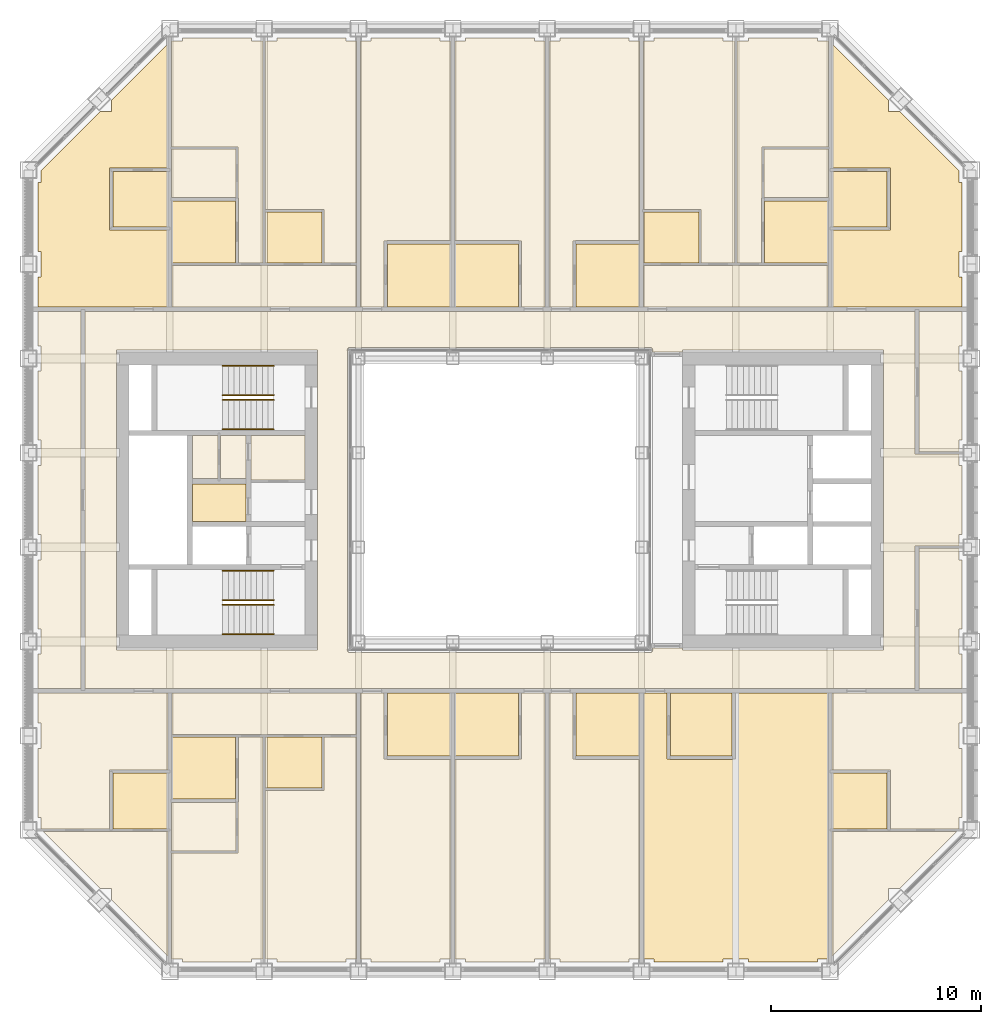
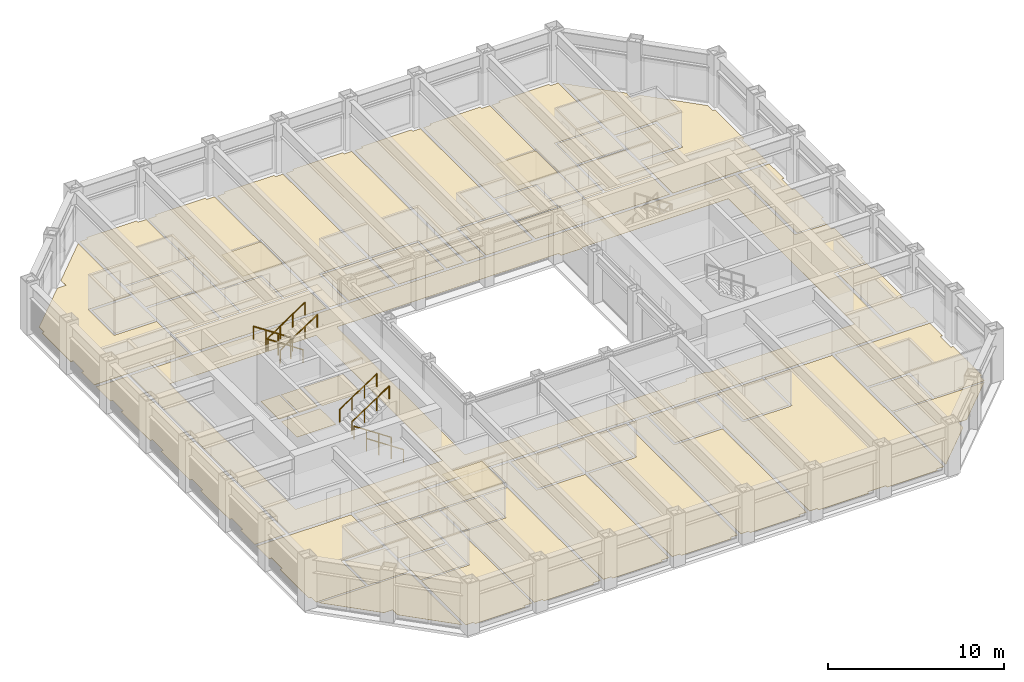
# One storey, part 16 of 18: 8 railings, 5 coverings.
"""IFC4 building model written with IfcOpenShell, lengths in metres."""

from ifc_helpers import new_model, si_unit, direction, frame, origin, origin_2d, place, context, subcontext, project, spatial, line, indexed_curve, circle, outline, extrude, material, layer, layer_set, type_object, element, save


model = new_model("IFC4")

# Units and contexts
model_context = context("Model", 3, precision=1e-05, world=origin(), true_north=direction((0.0, 1.0)))
body_context = subcontext(model_context, "Body", "Model", "MODEL_VIEW")
ifc_project = project(units=[si_unit("LENGTHUNIT", "METRE"), si_unit("AREAUNIT", "SQUARE_METRE"), si_unit("VOLUMEUNIT", "CUBIC_METRE"), si_unit("PLANEANGLEUNIT", "RADIAN"), si_unit("MASSUNIT", "GRAM", prefix="KILO")], contexts=[model_context])

# Site, building, storey
site_placement = place(None, origin())
site = spatial("IfcSite", under=ifc_project, at=site_placement, CompositionType="ELEMENT")
building_placement = place(site_placement, origin())
building = spatial("IfcBuilding", under=site, at=building_placement, Name="Msasa Ring Tower", CompositionType="ELEMENT")
storey_placement = place(building_placement, frame((0.0, 0.0, 183.199951171875)))
storey = spatial("IfcBuildingStorey", under=building, at=storey_placement, Name="L48", CompositionType="ELEMENT", Elevation=183.199951171875)

# Coverings
ifc_material_1 = material(Name="Perforated aluminium ceiling pans on a steel grid", Category="steel")
ifc_layer_1 = layer(ifc_material_1, 0.02490234375)
ifc_layer_set_1 = layer_set([ifc_layer_1], Name="C4 PERFORATED METAL PAN CEILING 25")
covering_type_1 = type_object("IfcCoveringType", Name="C4 PERFORATED METAL PAN CEILING 25", PredefinedType="CEILING", material=ifc_layer_set_1)
covering_1_placement = place(storey_placement, frame((0.0, 0.0, 2.400146484375)))
element("IfcCovering", 1, at=covering_1_placement, inside=storey, type_object=covering_type_1, Name="Perforated Metal Pan Ceiling 25 L48", PredefinedType="CEILING", context=body_context, shape_type="SweptSolid", body=[
    extrude(outline(indexed_curve([(-8.50048828125, -11.300537109375), (-8.50048828125, -13.74951171875), (-11.095703125, -13.74951171875), (-11.095703125, -11.300537109375)], segments=[line(1, 2, 3, 4, 1)], self_intersect=False)), origin(), (0.0, 0.0, 1.0), 0.02490234375),
    extrude(outline(indexed_curve([(-8.50048828125, 11.300537109375), (-11.095703125, 11.300537109375), (-11.095703125, 13.74951171875), (-8.50048828125, 13.74951171875)], segments=[line(1, 2, 3, 4, 1)], self_intersect=False)), origin(), (0.0, 0.0, 1.0), 0.02490234375),
    extrude(outline(indexed_curve([(9.49951171875, 11.300537109375), (6.904296875, 11.300537109375), (6.904296875, 13.74951171875), (9.49951171875, 13.74951171875)], segments=[line(1, 2, 3, 4, 1)], self_intersect=False)), origin(), (0.0, 0.0, 1.0), 0.02490234375),
])
ifc_material_2 = material(Name="Wool-blend carpet on felt underlay", Category="textile")
ifc_layer_2 = layer(ifc_material_2, 0.011962890625)
ifc_layer_set_2 = layer_set([ifc_layer_2], Name="F2 CARPET ON UNDERLAY 12")
covering_type_2 = type_object("IfcCoveringType", Name="F2 CARPET ON UNDERLAY 12", PredefinedType="FLOORING", material=ifc_layer_set_2)
covering_2_placement = place(storey_placement, origin())
element("IfcCovering", 2, at=covering_2_placement, inside=storey, type_object=covering_type_2, Name="Carpet On Underlay 12 L48", PredefinedType="FLOORING", context=body_context, shape_type="SweptSolid", body=[
    extrude(outline(indexed_curve([(-15.8505859375, -9.200439453125), (-15.8505859375, -12.869384765625), (-18.630615234375, -12.869384765625), (-18.630615234375, -15.694580078125), (-21.8994140625, -15.694580078125), (-21.8994140625, -15.1494140625), (-22.049560546875, -15.1494140625), (-22.049560546875, -11.8505859375), (-21.8994140625, -11.8505859375), (-21.8994140625, -10.6494140625), (-22.049560546875, -10.6494140625), (-22.049560546875, -9.200439453125)], segments=[line(1, 2, 3, 4, 5, 6, 7, 8, 9, 10, 11, 12, 1)], self_intersect=False)), origin(), (0.0, 0.0, 1.0), 0.011962890625),
    extrude(outline(indexed_curve([(-15.8505859375, -15.805419921875), (-15.8505859375, -21.762451171875), (-18.5244140625, -19.08837890625), (-18.5244140625, -18.5244140625), (-19.08837890625, -18.5244140625), (-21.807373046875, -15.805419921875)], segments=[line(1, 2, 3, 4, 5, 6, 1)], self_intersect=False)), origin(), (0.0, 0.0, 1.0), 0.011962890625),
    extrude(outline(indexed_curve([(22.049560546875, -1.6494140625), (21.8994140625, -1.6494140625), (21.8994140625, -2.199462890625), (19.799560546875, -2.199462890625), (19.799560546875, -8.99951171875), (-19.799560546875, -8.99951171875), (-19.799560546875, 8.99951171875), (19.799560546875, 8.99951171875), (19.799560546875, 2.199462890625), (21.8994140625, 2.199462890625), (21.8994140625, 1.6494140625), (22.049560546875, 1.6494140625)], segments=[line(1, 2, 3, 4, 5, 6, 7, 8, 9, 10, 11, 12, 1)], self_intersect=False), holes=[indexed_curve([(8.699462890625, -7.150390625), (18.300537109375, -7.150390625), (18.300537109375, 7.150390625), (8.699462890625, 7.150390625), (8.699462890625, 7.050537109375), (7.280029296875, 7.050537109375), (7.280517578125, 7.23046875), (7.22998046875, 7.23046875), (7.22998046875, 7.280029296875), (-7.22998046875, 7.280029296875), (-7.22998046875, 7.23046875), (-7.280517578125, 7.23046875), (-7.280517578125, -7.23046875), (-7.22998046875, -7.23046875), (-7.22998046875, -7.280029296875), (7.22998046875, -7.280029296875), (7.22998046875, -7.23046875), (7.280517578125, -7.23046875), (7.280029296875, -7.050537109375), (8.699462890625, -7.050537109375)], segments=[line(1, 2, 3, 4, 5, 6, 7, 8, 9, 10, 11, 12, 13, 14, 15, 16, 17, 18, 19, 20, 1)], self_intersect=False), indexed_curve([(-8.699462890625, -7.150390625), (-8.699462890625, 7.150390625), (-18.300537109375, 7.150390625), (-18.300537109375, -7.150390625)], segments=[line(1, 2, 3, 4, 1)], self_intersect=False)]), origin(), (0.0, 0.0, 1.0), 0.011962890625),
    extrude(outline(indexed_curve([(-15.662109375, -16.8505859375), (-12.49951171875, -16.8505859375), (-12.49951171875, -14.39990234375), (-12.474609375, -14.39990234375), (-12.474609375, -11.300537109375), (-11.310546875, -11.300537109375), (-11.310546875, -21.8994140625), (-11.8505859375, -21.8994140625), (-11.8505859375, -22.049560546875), (-15.1494140625, -22.049560546875), (-15.1494140625, -21.8994140625), (-15.662109375, -21.8994140625)], segments=[line(1, 2, 3, 4, 5, 6, 7, 8, 9, 10, 11, 12, 1)], self_intersect=False)), origin(), (0.0, 0.0, 1.0), 0.011962890625),
    extrude(outline(indexed_curve([(-12.6005859375, -16.744384765625), (-15.662109375, -16.744384765625), (-15.662109375, -14.430419921875), (-12.6005859375, -14.430419921875)], segments=[line(1, 2, 3, 4, 1)], self_intersect=False)), origin(), (0.0, 0.0, 1.0), 0.011962890625),
    extrude(outline(indexed_curve([(-11.8505859375, 22.049560546875), (-11.8505859375, 21.8994140625), (-11.310546875, 21.8994140625), (-11.310546875, 11.300537109375), (-12.474609375, 11.300537109375), (-12.474609375, 14.39990234375), (-12.49951171875, 14.39990234375), (-12.49951171875, 16.8505859375), (-15.662109375, 16.8505859375), (-15.662109375, 21.8994140625), (-15.1494140625, 21.8994140625), (-15.1494140625, 22.049560546875)], segments=[line(1, 2, 3, 4, 5, 6, 7, 8, 9, 10, 11, 12, 1)], self_intersect=False)), origin(), (0.0, 0.0, 1.0), 0.011962890625),
    extrude(outline(indexed_curve([(-12.6005859375, 16.744384765625), (-12.6005859375, 14.430419921875), (-15.662109375, 14.430419921875), (-15.662109375, 16.744384765625)], segments=[line(1, 2, 3, 4, 1)], self_intersect=False)), origin(), (0.0, 0.0, 1.0), 0.011962890625),
    extrude(outline(indexed_curve([(-6.8505859375, -9.200439453125), (-6.8505859375, -11.199462890625), (-15.6494140625, -11.199462890625), (-15.6494140625, -9.200439453125)], segments=[line(1, 2, 3, 4, 1)], self_intersect=False)), origin(), (0.0, 0.0, 1.0), 0.011962890625),
    extrude(outline(indexed_curve([(-6.8505859375, 9.200439453125), (-15.6494140625, 9.200439453125), (-15.6494140625, 11.199462890625), (-6.8505859375, 11.199462890625)], segments=[line(1, 2, 3, 4, 1)], self_intersect=False)), origin(), (0.0, 0.0, 1.0), 0.011962890625),
    extrude(outline(indexed_curve([(-13.45556640625, 1.025390625), (-14.674560546875, 1.025390625), (-14.674560546875, 3.074462890625), (-13.45556640625, 3.074462890625)], segments=[line(1, 2, 3, 4, 1)], self_intersect=False)), origin(), (0.0, 0.0, 1.0), 0.011962890625),
    extrude(outline(indexed_curve([(-10.6494140625, -22.049560546875), (-10.6494140625, -21.8994140625), (-11.189453125, -21.8994140625), (-11.189453125, -13.8505859375), (-8.3994140625, -13.8505859375), (-8.3994140625, -11.300537109375), (-6.837890625, -11.300537109375), (-6.837890625, -21.8994140625), (-7.3505859375, -21.8994140625), (-7.3505859375, -22.049560546875)], segments=[line(1, 2, 3, 4, 5, 6, 7, 8, 9, 10, 1)], self_intersect=False)), origin(), (0.0, 0.0, 1.0), 0.011962890625),
    extrude(outline(indexed_curve([(-8.3994140625, 11.300537109375), (-8.3994140625, 13.8505859375), (-11.189453125, 13.8505859375), (-11.189453125, 21.8994140625), (-10.6494140625, 21.8994140625), (-10.6494140625, 22.049560546875), (-7.3505859375, 22.049560546875), (-7.3505859375, 21.8994140625), (-6.837890625, 21.8994140625), (-6.837890625, 11.300537109375)], segments=[line(1, 2, 3, 4, 5, 6, 7, 8, 9, 10, 1)], self_intersect=False)), origin(), (0.0, 0.0, 1.0), 0.011962890625),
    extrude(outline(indexed_curve([(-6.6494140625, -9.200439453125), (-5.525390625, -9.200439453125), (-5.525390625, -12.35009765625), (-5.39990234375, -12.3505859375), (-5.39990234375, -12.37548828125), (-2.3505859375, -12.37548828125), (-2.3505859375, -21.8994140625), (-2.8505859375, -21.8994140625), (-2.8505859375, -22.049560546875), (-6.1494140625, -22.049560546875), (-6.1494140625, -21.8994140625), (-6.6494140625, -21.8994140625)], segments=[line(1, 2, 3, 4, 5, 6, 7, 8, 9, 10, 11, 12, 1)], self_intersect=False)), origin(), (0.0, 0.0, 1.0), 0.011962890625),
    extrude(outline(indexed_curve([(-2.8505859375, 22.049560546875), (-2.8505859375, 21.8994140625), (-2.3505859375, 21.8994140625), (-2.3505859375, 12.37548828125), (-5.39990234375, 12.37548828125), (-5.39990234375, 12.3505859375), (-5.525390625, 12.35009765625), (-5.525390625, 9.200439453125), (-6.6494140625, 9.200439453125), (-6.6494140625, 21.8994140625), (-6.1494140625, 21.8994140625), (-6.1494140625, 22.049560546875)], segments=[line(1, 2, 3, 4, 5, 6, 7, 8, 9, 10, 11, 12, 1)], self_intersect=False)), origin(), (0.0, 0.0, 1.0), 0.011962890625),
    extrude(outline(indexed_curve([(-1.6494140625, -22.049560546875), (-1.6494140625, -21.8994140625), (-2.1494140625, -21.8994140625), (-2.1494140625, -12.37548828125), (0.89990234375, -12.37548828125), (0.89990234375, -12.3505859375), (1.025390625, -12.35009765625), (1.025390625, -9.200439453125), (2.1494140625, -9.200439453125), (2.1494140625, -21.8994140625), (1.6494140625, -21.8994140625), (1.6494140625, -22.049560546875)], segments=[line(1, 2, 3, 4, 5, 6, 7, 8, 9, 10, 11, 12, 1)], self_intersect=False)), origin(), (0.0, 0.0, 1.0), 0.011962890625),
    extrude(outline(indexed_curve([(1.025390625, 9.200439453125), (1.025390625, 12.35009765625), (0.89990234375, 12.3505859375), (0.89990234375, 12.37548828125), (-2.1494140625, 12.37548828125), (-2.1494140625, 21.8994140625), (-1.6494140625, 21.8994140625), (-1.6494140625, 22.049560546875), (1.6494140625, 22.049560546875), (1.6494140625, 21.8994140625), (2.1494140625, 21.8994140625), (2.1494140625, 9.200439453125)], segments=[line(1, 2, 3, 4, 5, 6, 7, 8, 9, 10, 11, 12, 1)], self_intersect=False)), origin(), (0.0, 0.0, 1.0), 0.011962890625),
    extrude(outline(indexed_curve([(3.474609375, -9.200439453125), (3.474609375, -12.35009765625), (3.60009765625, -12.3505859375), (3.60009765625, -12.37548828125), (6.6494140625, -12.37548828125), (6.6494140625, -21.8994140625), (6.1494140625, -21.8994140625), (6.1494140625, -22.049560546875), (2.8505859375, -22.049560546875), (2.8505859375, -21.8994140625), (2.3505859375, -21.8994140625), (2.3505859375, -9.200439453125)], segments=[line(1, 2, 3, 4, 5, 6, 7, 8, 9, 10, 11, 12, 1)], self_intersect=False)), origin(), (0.0, 0.0, 1.0), 0.011962890625),
    extrude(outline(indexed_curve([(2.3505859375, 21.8994140625), (2.8505859375, 21.8994140625), (2.8505859375, 22.049560546875), (6.1494140625, 22.049560546875), (6.1494140625, 21.8994140625), (6.6494140625, 21.8994140625), (6.6494140625, 12.37548828125), (3.60009765625, 12.37548828125), (3.60009765625, 12.3505859375), (3.474609375, 12.35009765625), (3.474609375, 9.200439453125), (2.3505859375, 9.200439453125)], segments=[line(1, 2, 3, 4, 5, 6, 7, 8, 9, 10, 11, 12, 1)], self_intersect=False)), origin(), (0.0, 0.0, 1.0), 0.011962890625),
    extrude(outline(indexed_curve([(9.6005859375, 11.300537109375), (9.6005859375, 13.8505859375), (6.837890625, 13.8505859375), (6.837890625, 21.8994140625), (7.3505859375, 21.8994140625), (7.3505859375, 22.049560546875), (10.6494140625, 22.049560546875), (10.6494140625, 21.8994140625), (11.189453125, 21.8994140625), (11.189453125, 11.300537109375)], segments=[line(1, 2, 3, 4, 5, 6, 7, 8, 9, 10, 1)], self_intersect=False)), origin(), (0.0, 0.0, 1.0), 0.011962890625),
    extrude(outline(indexed_curve([(15.6494140625, 9.200439453125), (6.8505859375, 9.200439453125), (6.8505859375, 11.199462890625), (15.6494140625, 11.199462890625)], segments=[line(1, 2, 3, 4, 1)], self_intersect=False)), origin(), (0.0, 0.0, 1.0), 0.011962890625),
    extrude(outline(indexed_curve([(15.662109375, 16.8505859375), (12.49951171875, 16.8505859375), (12.49951171875, 14.39990234375), (12.474609375, 14.39990234375), (12.474609375, 11.300537109375), (11.310546875, 11.300537109375), (11.310546875, 21.8994140625), (11.8505859375, 21.8994140625), (11.8505859375, 22.049560546875), (15.1494140625, 22.049560546875), (15.1494140625, 21.8994140625), (15.662109375, 21.8994140625)], segments=[line(1, 2, 3, 4, 5, 6, 7, 8, 9, 10, 11, 12, 1)], self_intersect=False)), origin(), (0.0, 0.0, 1.0), 0.011962890625),
    extrude(outline(indexed_curve([(15.662109375, 16.744384765625), (15.662109375, 14.430419921875), (12.6005859375, 14.430419921875), (12.6005859375, 16.744384765625)], segments=[line(1, 2, 3, 4, 1)], self_intersect=False)), origin(), (0.0, 0.0, 1.0), 0.011962890625),
    extrude(outline(indexed_curve([(15.8505859375, -15.805419921875), (21.807373046875, -15.805419921875), (19.08837890625, -18.5244140625), (18.5244140625, -18.5244140625), (18.5244140625, -19.08837890625), (15.8505859375, -21.762451171875)], segments=[line(1, 2, 3, 4, 5, 6, 1)], self_intersect=False)), origin(), (0.0, 0.0, 1.0), 0.011962890625),
    extrude(outline(indexed_curve([(15.8505859375, -9.200439453125), (22.049560546875, -9.200439453125), (22.049560546875, -10.6494140625), (21.8994140625, -10.6494140625), (21.8994140625, -11.8505859375), (22.049560546875, -11.8505859375), (22.049560546875, -15.1494140625), (21.8994140625, -15.1494140625), (21.8994140625, -15.694580078125), (18.630615234375, -15.694580078125), (18.630615234375, -12.869384765625), (15.8505859375, -12.869384765625)], segments=[line(1, 2, 3, 4, 5, 6, 7, 8, 9, 10, 11, 12, 1)], self_intersect=False)), origin(), (0.0, 0.0, 1.0), 0.011962890625),
])
ifc_material_3 = material(Name="Engineered oak boards on an acoustic underlay", Category="wood")
ifc_layer_3 = layer(ifc_material_3, 0.01806640625)
ifc_layer_set_3 = layer_set([ifc_layer_3], Name="F3 ENGINEERED TIMBER ON ACOUSTIC UNDERLAY 18")
covering_type_3 = type_object("IfcCoveringType", Name="F3 ENGINEERED TIMBER ON ACOUSTIC UNDERLAY 18", PredefinedType="FLOORING", material=ifc_layer_set_3)
covering_3_placement = place(storey_placement, origin())
element("IfcCovering", 3, at=covering_3_placement, inside=storey, type_object=covering_type_3, Name="Engineered Timber On Acoustic Underlay 18 L48", PredefinedType="FLOORING", context=body_context, shape_type="SweptSolid", body=[
    extrude(outline(indexed_curve([(-18.630615234375, 15.83056640625), (-18.630615234375, 12.869384765625), (-15.8505859375, 12.869384765625), (-15.8505859375, 9.200439453125), (-22.049560546875, 9.200439453125), (-22.049560546875, 10.6494140625), (-21.8994140625, 10.6494140625), (-21.8994140625, 11.8505859375), (-22.049560546875, 11.8505859375), (-22.049560546875, 15.1494140625), (-21.8994140625, 15.1494140625), (-21.8994140625, 15.71337890625), (-19.08837890625, 18.5244140625), (-18.5244140625, 18.5244140625), (-18.5244140625, 19.08837890625), (-15.8505859375, 21.762451171875), (-15.8505859375, 15.83056640625)], segments=[line(1, 2, 3, 4, 5, 6, 7, 8, 9, 10, 11, 12, 13, 14, 15, 16, 17, 1)], self_intersect=False)), origin(), (0.0, 0.0, 1.0), 0.01806640625),
    extrude(outline(indexed_curve([(6.8505859375, -9.200439453125), (7.974609375, -9.200439453125), (7.974609375, -12.35009765625), (8.10009765625, -12.3505859375), (8.10009765625, -12.37548828125), (11.10009765625, -12.37548828125), (11.10009765625, -12.3505859375), (11.2255859375, -12.35009765625), (11.2255859375, -9.200439453125), (15.6494140625, -9.200439453125), (15.6494140625, -21.8994140625), (15.1494140625, -21.8994140625), (15.1494140625, -22.049560546875), (11.8505859375, -22.049560546875), (11.8505859375, -21.8994140625), (10.6494140625, -21.8994140625), (10.6494140625, -22.049560546875), (7.3505859375, -22.049560546875), (7.3505859375, -21.8994140625), (6.8505859375, -21.8994140625)], segments=[line(1, 2, 3, 4, 5, 6, 7, 8, 9, 10, 11, 12, 13, 14, 15, 16, 17, 18, 19, 20, 1)], self_intersect=False)), origin(), (0.0, 0.0, 1.0), 0.01806640625),
    extrude(outline(indexed_curve([(15.8505859375, 15.83056640625), (15.8505859375, 21.762451171875), (18.5244140625, 19.08837890625), (18.5244140625, 18.5244140625), (19.08837890625, 18.5244140625), (21.8994140625, 15.71337890625), (21.8994140625, 15.1494140625), (22.049560546875, 15.1494140625), (22.049560546875, 11.8505859375), (21.8994140625, 11.8505859375), (21.8994140625, 10.6494140625), (22.049560546875, 10.6494140625), (22.049560546875, 9.200439453125), (15.8505859375, 9.200439453125), (15.8505859375, 12.869384765625), (18.630615234375, 12.869384765625), (18.630615234375, 15.83056640625)], segments=[line(1, 2, 3, 4, 5, 6, 7, 8, 9, 10, 11, 12, 13, 14, 15, 16, 17, 1)], self_intersect=False)), origin(), (0.0, 0.0, 1.0), 0.01806640625),
])
ifc_material_4 = material(Name="Porcelain floor tiles in adhesive", Category="ceramic")
ifc_layer_4 = layer(ifc_material_4, 0.010009765625)
ifc_layer_set_4 = layer_set([ifc_layer_4], Name="F4 PORCELAIN TILE ON ADHESIVE 10")
covering_type_4 = type_object("IfcCoveringType", Name="F4 PORCELAIN TILE ON ADHESIVE 10", PredefinedType="FLOORING", material=ifc_layer_set_4)
covering_4_placement = place(storey_placement, origin())
element("IfcCovering", 4, at=covering_4_placement, inside=storey, type_object=covering_type_4, Name="Porcelain Tile On Adhesive 10 L48", PredefinedType="FLOORING", context=body_context, shape_type="SweptSolid", body=[
    extrude(outline(indexed_curve([(-18.469482421875, -13.030517578125), (-15.8505859375, -13.030517578125), (-15.8505859375, -15.694580078125), (-18.469482421875, -15.694580078125)], segments=[line(1, 2, 3, 4, 1)], self_intersect=False)), origin(), (0.0, 0.0, 1.0), 0.010009765625),
    extrude(outline(indexed_curve([(-15.8505859375, 15.66943359375), (-15.8505859375, 13.030517578125), (-18.469482421875, 13.030517578125), (-18.469482421875, 15.66943359375)], segments=[line(1, 2, 3, 4, 1)], self_intersect=False)), origin(), (0.0, 0.0, 1.0), 0.010009765625),
    extrude(outline(indexed_curve([(-12.62548828125, -11.300537109375), (-12.62548828125, -14.2744140625), (-15.662109375, -14.2744140625), (-15.662109375, -11.300537109375)], segments=[line(1, 2, 3, 4, 1)], self_intersect=False)), origin(), (0.0, 0.0, 1.0), 0.010009765625),
    extrude(outline(indexed_curve([(-15.662109375, 11.300537109375), (-15.662109375, 14.2744140625), (-12.62548828125, 14.2744140625), (-12.62548828125, 11.300537109375)], segments=[line(1, 2, 3, 4, 1)], self_intersect=False)), origin(), (0.0, 0.0, 1.0), 0.010009765625),
    extrude(outline(indexed_curve([(-12.12548828125, -1.0244140625), (-14.674560546875, -1.0244140625), (-14.674560546875, 0.7744140625), (-12.12548828125, 0.7744140625)], segments=[line(1, 2, 3, 4, 1)], self_intersect=False)), origin(), (0.0, 0.0, 1.0), 0.010009765625),
    extrude(outline(indexed_curve([(-2.3505859375, -9.200439453125), (-2.3505859375, -12.224609375), (-5.37451171875, -12.224609375), (-5.37451171875, -9.200439453125)], segments=[line(1, 2, 3, 4, 1)], self_intersect=False)), origin(), (0.0, 0.0, 1.0), 0.010009765625),
    extrude(outline(indexed_curve([(-2.3505859375, 9.200439453125), (-5.37451171875, 9.200439453125), (-5.37451171875, 12.224609375), (-2.3505859375, 12.224609375)], segments=[line(1, 2, 3, 4, 1)], self_intersect=False)), origin(), (0.0, 0.0, 1.0), 0.010009765625),
    extrude(outline(indexed_curve([(0.87451171875, -9.200439453125), (0.87451171875, -12.224609375), (-2.1494140625, -12.224609375), (-2.1494140625, -9.200439453125)], segments=[line(1, 2, 3, 4, 1)], self_intersect=False)), origin(), (0.0, 0.0, 1.0), 0.010009765625),
    extrude(outline(indexed_curve([(-2.1494140625, 9.200439453125), (-2.1494140625, 12.224609375), (0.87451171875, 12.224609375), (0.87451171875, 9.200439453125)], segments=[line(1, 2, 3, 4, 1)], self_intersect=False)), origin(), (0.0, 0.0, 1.0), 0.010009765625),
    extrude(outline(indexed_curve([(6.6494140625, -9.200439453125), (6.6494140625, -12.224609375), (3.62548828125, -12.224609375), (3.62548828125, -9.200439453125)], segments=[line(1, 2, 3, 4, 1)], self_intersect=False)), origin(), (0.0, 0.0, 1.0), 0.010009765625),
    extrude(outline(indexed_curve([(6.6494140625, 9.200439453125), (3.62548828125, 9.200439453125), (3.62548828125, 12.224609375), (6.6494140625, 12.224609375)], segments=[line(1, 2, 3, 4, 1)], self_intersect=False)), origin(), (0.0, 0.0, 1.0), 0.010009765625),
    extrude(outline(indexed_curve([(11.074462890625, -9.200439453125), (11.074462890625, -12.224609375), (8.12548828125, -12.224609375), (8.12548828125, -9.200439453125)], segments=[line(1, 2, 3, 4, 1)], self_intersect=False)), origin(), (0.0, 0.0, 1.0), 0.010009765625),
    extrude(outline(indexed_curve([(12.62548828125, 11.300537109375), (12.62548828125, 14.2744140625), (15.662109375, 14.2744140625), (15.662109375, 11.300537109375)], segments=[line(1, 2, 3, 4, 1)], self_intersect=False)), origin(), (0.0, 0.0, 1.0), 0.010009765625),
    extrude(outline(indexed_curve([(18.469482421875, -13.030517578125), (18.469482421875, -15.694580078125), (15.8505859375, -15.694580078125), (15.8505859375, -13.030517578125)], segments=[line(1, 2, 3, 4, 1)], self_intersect=False)), origin(), (0.0, 0.0, 1.0), 0.010009765625),
    extrude(outline(indexed_curve([(18.469482421875, 15.66943359375), (18.469482421875, 13.030517578125), (15.8505859375, 13.030517578125), (15.8505859375, 15.66943359375)], segments=[line(1, 2, 3, 4, 1)], self_intersect=False)), origin(), (0.0, 0.0, 1.0), 0.010009765625),
])
ifc_material_5 = material(Name="Welded vinyl safety sheet flooring", Category="vinyl")
ifc_layer_5 = layer(ifc_material_5, 0.0029296875)
ifc_layer_set_5 = layer_set([ifc_layer_5], Name="F5 RESILIENT SHEET FLOORING 3")
covering_type_5 = type_object("IfcCoveringType", Name="F5 RESILIENT SHEET FLOORING 3", PredefinedType="FLOORING", material=ifc_layer_set_5)
covering_5_placement = place(storey_placement, origin())
element("IfcCovering", 5, at=covering_5_placement, inside=storey, type_object=covering_type_5, Name="Resilient Sheet Flooring 3 L48", PredefinedType="FLOORING", context=body_context, shape_type="SweptSolid", body=[
    extrude(outline(indexed_curve([(-20.00048828125, -8.99951171875), (-22.049560546875, -8.99951171875), (-22.049560546875, -7.3505859375), (-21.8994140625, -7.3505859375), (-21.8994140625, -6.1494140625), (-22.049560546875, -6.1494140625), (-22.049560546875, -2.8505859375), (-21.8994140625, -2.8505859375), (-21.8994140625, -1.6494140625), (-22.049560546875, -1.6494140625), (-22.049560546875, 1.6494140625), (-21.8994140625, 1.6494140625), (-21.8994140625, 2.8505859375), (-22.049560546875, 2.8505859375), (-22.049560546875, 6.1494140625), (-21.8994140625, 6.1494140625), (-21.8994140625, 7.3505859375), (-22.049560546875, 7.3505859375), (-22.049560546875, 8.99951171875), (-20.00048828125, 8.99951171875)], segments=[line(1, 2, 3, 4, 5, 6, 7, 8, 9, 10, 11, 12, 13, 14, 15, 16, 17, 18, 19, 20, 1)], self_intersect=False)), origin(), (0.0, 0.0, 1.0), 0.0029296875),
    extrude(outline(indexed_curve([(-13.344482421875, 3.074462890625), (-12.12548828125, 3.074462890625), (-12.12548828125, 1.025390625), (-13.344482421875, 1.025390625)], segments=[line(1, 2, 3, 4, 1)], self_intersect=False)), origin(), (0.0, 0.0, 1.0), 0.0029296875),
    extrude(outline(indexed_curve([(-11.87451171875, 3.074462890625), (-9.300537109375, 3.074462890625), (-9.300537109375, 0.95556640625), (-11.87451171875, 0.95556640625)], segments=[line(1, 2, 3, 4, 1)], self_intersect=False)), origin(), (0.0, 0.0, 1.0), 0.0029296875),
    extrude(outline(indexed_curve([(-11.189453125, -11.300537109375), (-8.50048828125, -11.300537109375), (-8.50048828125, -13.74951171875), (-11.189453125, -13.74951171875)], segments=[line(1, 2, 3, 4, 1)], self_intersect=False)), origin(), (0.0, 0.0, 1.0), 0.0029296875),
    extrude(outline(indexed_curve([(-11.189453125, 13.74951171875), (-8.50048828125, 13.74951171875), (-8.50048828125, 11.300537109375), (-11.189453125, 11.300537109375)], segments=[line(1, 2, 3, 4, 1)], self_intersect=False)), origin(), (0.0, 0.0, 1.0), 0.0029296875),
    extrude(outline(indexed_curve([(9.49951171875, 13.74951171875), (9.49951171875, 11.300537109375), (6.837890625, 11.300537109375), (6.837890625, 13.74951171875)], segments=[line(1, 2, 3, 4, 1)], self_intersect=False)), origin(), (0.0, 0.0, 1.0), 0.0029296875),
    extrude(outline(indexed_curve([(20.00048828125, -8.99951171875), (20.00048828125, -2.305419921875), (21.8994140625, -2.305419921875), (21.8994140625, -2.8505859375), (22.049560546875, -2.8505859375), (22.049560546875, -6.1494140625), (21.8994140625, -6.1494140625), (21.8994140625, -7.3505859375), (22.049560546875, -7.3505859375), (22.049560546875, -8.99951171875)], segments=[line(1, 2, 3, 4, 5, 6, 7, 8, 9, 10, 1)], self_intersect=False)), origin(), (0.0, 0.0, 1.0), 0.0029296875),
    extrude(outline(indexed_curve([(20.00048828125, 2.305419921875), (20.00048828125, 8.99951171875), (22.049560546875, 8.99951171875), (22.049560546875, 7.3505859375), (21.8994140625, 7.3505859375), (21.8994140625, 6.1494140625), (22.049560546875, 6.1494140625), (22.049560546875, 2.8505859375), (21.8994140625, 2.8505859375), (21.8994140625, 2.305419921875)], segments=[line(1, 2, 3, 4, 5, 6, 7, 8, 9, 10, 1)], self_intersect=False)), origin(), (0.0, 0.0, 1.0), 0.0029296875),
])

# Railings
ifc_material_6 = material(Name="Stainless steel", Category="steel")
railing_type = type_object("IfcRailingType", Name="HR1 HANDRAIL 900", PredefinedType="HANDRAIL", material=ifc_material_6)
for number, where, name in (
    (6, (-10.800048828125, -6.39990234375, 0.179931640625), "Handrail stair SWA L48 1"),
    (7, (-10.800048828125, -5.0, 0.179931640625), "Handrail stair SWA L48 2"),
):
    element("IfcRailing", number, at=place(storey_placement, frame(where)), inside=storey, type_object=railing_type, Name=name, PredefinedType="HANDRAIL", context=body_context, shape_type="SweptSolid", body=[
        extrude(circle(Radius=0.02392578125, at=origin_2d()), frame((0.0, 0.0, 0.8759765625), z_axis=(-0.832024571796, 0.0, 0.554738778101), x_axis=(0.0, -1.0, 0.0)), (0.0, 0.0, 1.0), 2.92041015625),
        extrude(circle(Radius=0.02099609375, at=origin_2d()), origin(), (0.0, 0.0, 1.0), 0.851806640625),
        extrude(circle(Radius=0.02099609375, at=origin_2d()), frame((-0.81005859375, 0.0, 0.5400390625)), (0.0, 0.0, 1.0), 0.851806640625),
        extrude(circle(Radius=0.02099609375, at=origin_2d()), frame((-1.619873046875, 0.0, 1.080078125)), (0.0, 0.0, 1.0), 0.851806640625),
        extrude(circle(Radius=0.02099609375, at=origin_2d()), frame((-2.429931640625, 0.0, 1.6201171875)), (0.0, 0.0, 1.0), 0.851806640625),
    ])
for number, where, name in (
    (8, (-13.22998046875, -4.77490234375, 1.97998046875), "Handrail stair SWA L48 3"),
    (9, (-13.22998046875, -3.375, 1.97998046875), "Handrail stair SWA L48 4"),
):
    element("IfcRailing", number, at=place(storey_placement, frame(where)), inside=storey, type_object=railing_type, Name=name, PredefinedType="HANDRAIL", context=body_context, shape_type="SweptSolid", body=[
        extrude(circle(Radius=0.02392578125, at=origin_2d()), frame((0.0, 0.0, 0.8759765625), z_axis=(0.832024571796, 0.0, 0.554738778101), x_axis=(0.0, 1.0, 0.0)), (0.0, 0.0, 1.0), 2.92041015625),
        extrude(circle(Radius=0.02099609375, at=origin_2d()), origin(), (0.0, 0.0, 1.0), 0.851806640625),
        extrude(circle(Radius=0.02099609375, at=origin_2d()), frame((0.81005859375, 0.0, 0.5400390625)), (0.0, 0.0, 1.0), 0.851806640625),
        extrude(circle(Radius=0.02099609375, at=origin_2d()), frame((1.619873046875, 0.0, 1.080078125)), (0.0, 0.0, 1.0), 0.851806640625),
        extrude(circle(Radius=0.02099609375, at=origin_2d()), frame((2.429931640625, 0.0, 1.6201171875)), (0.0, 0.0, 1.0), 0.851806640625),
    ])
for number, where, name in (
    (10, (-10.800048828125, 5.0, 0.179931640625), "Handrail stair SWB L48 1"),
    (11, (-10.800048828125, 6.39990234375, 0.179931640625), "Handrail stair SWB L48 2"),
):
    element("IfcRailing", number, at=place(storey_placement, frame(where)), inside=storey, type_object=railing_type, Name=name, PredefinedType="HANDRAIL", context=body_context, shape_type="SweptSolid", body=[
        extrude(circle(Radius=0.02392578125, at=origin_2d()), frame((0.0, 0.0, 0.8759765625), z_axis=(-0.832024571796, 0.0, 0.554738778101), x_axis=(0.0, -1.0, 0.0)), (0.0, 0.0, 1.0), 2.92041015625),
        extrude(circle(Radius=0.02099609375, at=origin_2d()), origin(), (0.0, 0.0, 1.0), 0.851806640625),
        extrude(circle(Radius=0.02099609375, at=origin_2d()), frame((-0.81005859375, 0.0, 0.5400390625)), (0.0, 0.0, 1.0), 0.851806640625),
        extrude(circle(Radius=0.02099609375, at=origin_2d()), frame((-1.619873046875, 0.0, 1.080078125)), (0.0, 0.0, 1.0), 0.851806640625),
        extrude(circle(Radius=0.02099609375, at=origin_2d()), frame((-2.429931640625, 0.0, 1.6201171875)), (0.0, 0.0, 1.0), 0.851806640625),
    ])
for number, where, name in (
    (12, (-13.22998046875, 3.375, 1.97998046875), "Handrail stair SWB L48 3"),
    (13, (-13.22998046875, 4.77490234375, 1.97998046875), "Handrail stair SWB L48 4"),
):
    element("IfcRailing", number, at=place(storey_placement, frame(where)), inside=storey, type_object=railing_type, Name=name, PredefinedType="HANDRAIL", context=body_context, shape_type="SweptSolid", body=[
        extrude(circle(Radius=0.02392578125, at=origin_2d()), frame((0.0, 0.0, 0.8759765625), z_axis=(0.832024571796, 0.0, 0.554738778101), x_axis=(0.0, 1.0, 0.0)), (0.0, 0.0, 1.0), 2.92041015625),
        extrude(circle(Radius=0.02099609375, at=origin_2d()), origin(), (0.0, 0.0, 1.0), 0.851806640625),
        extrude(circle(Radius=0.02099609375, at=origin_2d()), frame((0.81005859375, 0.0, 0.5400390625)), (0.0, 0.0, 1.0), 0.851806640625),
        extrude(circle(Radius=0.02099609375, at=origin_2d()), frame((1.619873046875, 0.0, 1.080078125)), (0.0, 0.0, 1.0), 0.851806640625),
        extrude(circle(Radius=0.02099609375, at=origin_2d()), frame((2.429931640625, 0.0, 1.6201171875)), (0.0, 0.0, 1.0), 0.851806640625),
    ])

save(model, "model.ifc")
